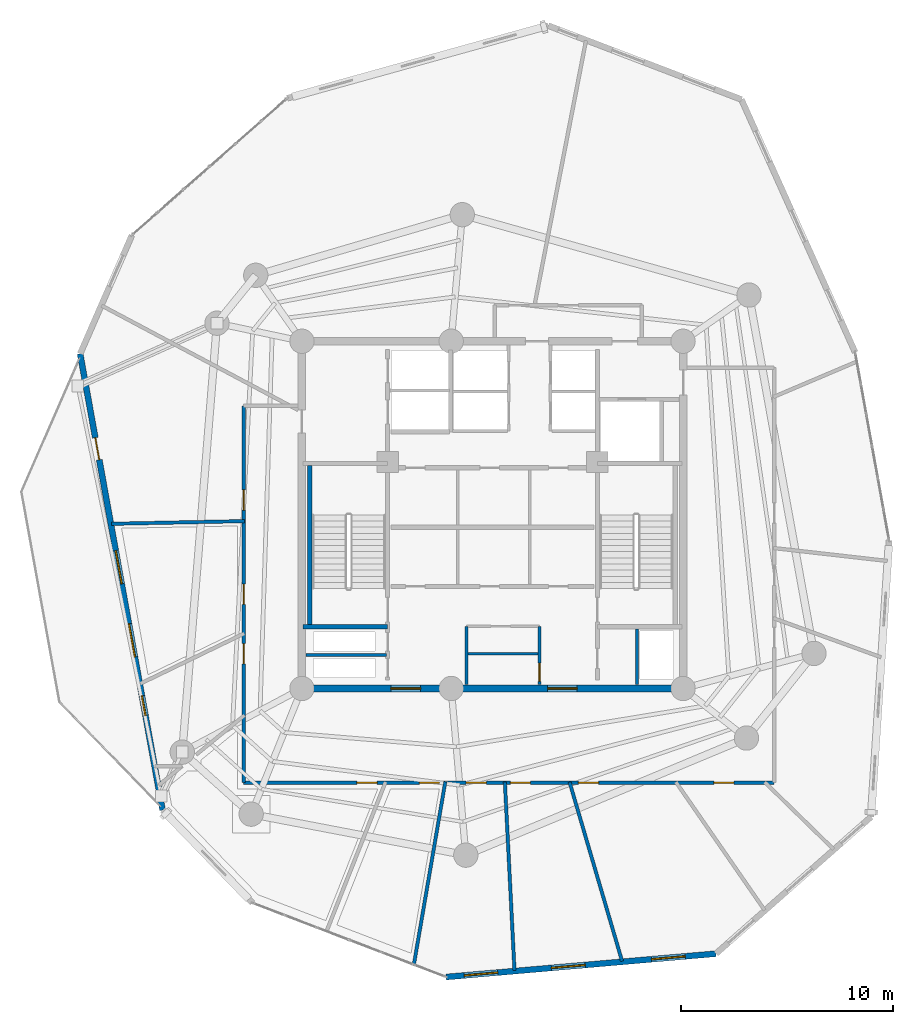
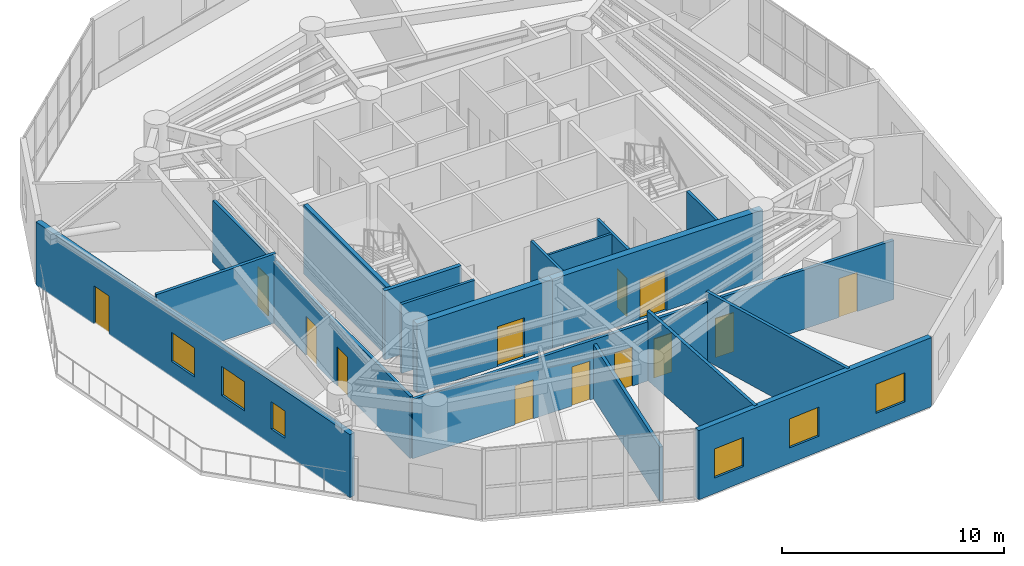
# One storey, part 6 of 12: 17 walls, 13 doors, 6 windows, 19 openings.
"""IFC4 building model written with IfcOpenShell, lengths in metres."""

from ifc_helpers import new_model, si_unit, direction, frame, frame_2d, origin, origin_with_axes, place, context, subcontext, project, spatial, rectangle, extrude, source, transform, mapped, material, layer, layer_set, type_object, element, fill, save


model = new_model("IFC4")

# Units and contexts
model_context = context("Model", 3, precision=1e-05, world=origin(), true_north=direction((0.0, 1.0)))
body_context = subcontext(model_context, "Body", "Model", "MODEL_VIEW")
ifc_project = project(units=[si_unit("LENGTHUNIT", "METRE"), si_unit("AREAUNIT", "SQUARE_METRE"), si_unit("VOLUMEUNIT", "CUBIC_METRE"), si_unit("PLANEANGLEUNIT", "RADIAN"), si_unit("MASSUNIT", "GRAM", prefix="KILO")], contexts=[model_context])

# Site, building, storey
site_placement = place(None, origin())
site = spatial("IfcSite", under=ifc_project, at=site_placement, CompositionType="ELEMENT")
building_placement = place(site_placement, origin())
building = spatial("IfcBuilding", under=site, at=building_placement, Name="Karkom Vertical University and Central Library", CompositionType="ELEMENT")
storey_placement = place(building_placement, frame((0.0, 0.0, 212.89990234375)))
storey = spatial("IfcBuildingStorey", under=building, at=storey_placement, Name="L62", CompositionType="ELEMENT", Elevation=212.89990234375)

# Wall, openings, windows
ifc_material_1 = material(Name="Brick-faced precast concrete C45/55", Category="masonry")
ifc_layer_1 = layer(ifc_material_1, 0.280029296875)
ifc_layer_set_1 = layer_set([ifc_layer_1], Name="Brick-faced precast concrete C45/55")
wall_type_1 = type_object("IfcWallType", Name="ENV-WL-BRK-280", PredefinedType="SOLIDWALL", material=ifc_layer_set_1)
wall_1_placement = place(storey_placement, frame((26.305908203125, 4.673583984375, 0.0), z_axis=(0.0, 0.0, 1.0), x_axis=(0.996286620239, 0.086098608195, 0.0)))
wall_1 = element("IfcWall", 1, at=wall_1_placement, inside=storey, type_object=wall_type_1, Name="Level 62 Brick-Faced Precast Facade Wall 03", PredefinedType="SOLIDWALL", context=body_context, shape_type="SweptSolid", body=[
    extrude(rectangle(XDim=12.797119140625, YDim=0.280029296875, at=frame_2d((6.3984375, 0.0))), origin(), (0.0, 0.0, 1.0), 3.800048828125),
])
opening_1_placement = place(wall_1_placement, frame((0.854248046875, 0.0, 0.85009765625)))
opening_1 = element("IfcOpeningElement", 2, at=opening_1_placement, cuts=wall_1, Name="Opening WN-10", PredefinedType="OPENING", context=body_context, shape_type="SweptSolid", body=[
    extrude(rectangle(XDim=1.60009765625, YDim=1.60009765625, at=frame_2d((0.800048828125, 0.800048828125))), frame((0.0, 0.14990234375, 0.0), z_axis=(0.0, -1.0, 0.0), x_axis=(1.0, 0.0, 0.0)), (0.0, 0.0, 1.0), 0.300048828125),
])
opening_2_placement = place(wall_1_placement, frame((4.995361328125, 0.0, 0.85009765625)))
opening_2 = element("IfcOpeningElement", 3, at=opening_2_placement, cuts=wall_1, Name="Opening WN-10", PredefinedType="OPENING", context=body_context, shape_type="SweptSolid", body=[
    extrude(rectangle(XDim=1.60009765625, YDim=1.60009765625, at=frame_2d((0.800048828125, 0.800048828125))), frame((0.0, 0.14990234375, 0.0), z_axis=(0.0, -1.0, 0.0), x_axis=(1.0, 0.0, 0.0)), (0.0, 0.0, 1.0), 0.300048828125),
])
opening_3_placement = place(wall_1_placement, frame((9.739501953125, 0.0, 0.85009765625)))
opening_3 = element("IfcOpeningElement", 4, at=opening_3_placement, cuts=wall_1, Name="Opening WN-10", PredefinedType="OPENING", context=body_context, shape_type="SweptSolid", body=[
    extrude(rectangle(XDim=1.60009765625, YDim=1.60009765625, at=frame_2d((0.800048828125, 0.800048828125))), frame((0.0, 0.14990234375, 0.0), z_axis=(0.0, -1.0, 0.0), x_axis=(1.0, 0.0, 0.0)), (0.0, 0.0, 1.0), 0.300048828125),
])
ifc_material_2 = material(Name="Aluminium thermal-break frame with solar-control IGU", Category="aluminium")
window_type_1 = type_object("IfcWindowType", Name="ENV-WIN-WN-10", PartitioningType="SINGLE_PANEL", PredefinedType="WINDOW", material=ifc_material_2)
shared_shape_1 = source(origin_with_axes(), body_context, "Body", "SweptSolid", [
    extrude(rectangle(XDim=1.60009765625, YDim=1.60009765625, at=frame_2d((0.800048828125, 0.800048828125))), frame((0.0, 0.030029296875, 0.0), z_axis=(0.0, -1.0, 0.0), x_axis=(1.0, 0.0, 0.0)), (0.0, 0.0, 1.0), 0.06005859375),
])
window_1_placement = place(opening_1_placement, origin())
window_1 = element("IfcWindow", 5, at=window_1_placement, inside=storey, type_object=window_type_1, Name="Level 62 Punched Window 3.1", OverallHeight=1.60009765625, OverallWidth=1.60009765625, PartitioningType="SINGLE_PANEL", PredefinedType="WINDOW", context=body_context, shape_type="MappedRepresentation", body=[
    mapped(shared_shape_1, transform((0.0, 0.0, 0.0), scale=1.0)),
])
fill(opening_1, window_1)
window_2_placement = place(opening_2_placement, origin())
window_2 = element("IfcWindow", 6, at=window_2_placement, inside=storey, type_object=window_type_1, Name="Level 62 Punched Window 3.2", OverallHeight=1.60009765625, OverallWidth=1.60009765625, PartitioningType="SINGLE_PANEL", PredefinedType="WINDOW", context=body_context, shape_type="MappedRepresentation", body=[
    mapped(shared_shape_1, transform((0.0, 0.0, 0.0), scale=1.0)),
])
fill(opening_2, window_2)
window_3_placement = place(opening_3_placement, origin())
window_3 = element("IfcWindow", 7, at=window_3_placement, inside=storey, type_object=window_type_1, Name="Level 62 Punched Window 3.3", OverallHeight=1.60009765625, OverallWidth=1.60009765625, PartitioningType="SINGLE_PANEL", PredefinedType="WINDOW", context=body_context, shape_type="MappedRepresentation", body=[
    mapped(shared_shape_1, transform((0.0, 0.0, 0.0), scale=1.0)),
])
fill(opening_3, window_3)

# Wall, openings, door, windows
wall_2_placement = place(storey_placement, frame((9.02490234375, 34.109619140625, 0.0), z_axis=(0.0, 0.0, 1.0), x_axis=(0.177767994096, -0.984072426336, 0.0)))
wall_2 = element("IfcWall", 8, at=wall_2_placement, inside=storey, type_object=wall_type_1, Name="Level 62 Brick-Faced Precast Facade Wall 12", PredefinedType="SOLIDWALL", context=body_context, shape_type="SweptSolid", body=[
    extrude(rectangle(XDim=21.901123046875, YDim=0.280029296875, at=frame_2d((10.95068359375, 0.0))), origin(), (0.0, 0.0, 1.0), 3.47021484375),
])
opening_4_placement = place(wall_2_placement, frame((9.4462890625, 0.0, 0.85009765625)))
opening_4 = element("IfcOpeningElement", 9, at=opening_4_placement, cuts=wall_2, Name="Opening WN-10", PredefinedType="OPENING", context=body_context, shape_type="SweptSolid", body=[
    extrude(rectangle(XDim=1.60009765625, YDim=1.60009765625, at=frame_2d((0.800048828125, 0.800048828125))), frame((0.0, 0.14990234375, 0.0), z_axis=(0.0, -1.0, 0.0), x_axis=(1.0, 0.0, 0.0)), (0.0, 0.0, 1.0), 0.300048828125),
])
opening_5_placement = place(wall_2_placement, frame((12.954833984375, 0.0, 0.85009765625)))
opening_5 = element("IfcOpeningElement", 10, at=opening_5_placement, cuts=wall_2, Name="Opening WN-10", PredefinedType="OPENING", context=body_context, shape_type="SweptSolid", body=[
    extrude(rectangle(XDim=1.60009765625, YDim=1.60009765625, at=frame_2d((0.800048828125, 0.800048828125))), frame((0.0, 0.14990234375, 0.0), z_axis=(0.0, -1.0, 0.0), x_axis=(1.0, 0.0, 0.0)), (0.0, 0.0, 1.0), 0.300048828125),
])
opening_6_placement = place(wall_2_placement, frame((16.410888671875, 0.0, 0.85009765625)))
opening_6 = element("IfcOpeningElement", 11, at=opening_6_placement, cuts=wall_2, Name="Opening WN-12", PredefinedType="OPENING", context=body_context, shape_type="SweptSolid", body=[
    extrude(rectangle(XDim=0.949951171875, YDim=1.5, at=frame_2d((0.47509765625, 0.75))), frame((0.0, 0.14990234375, 0.0), z_axis=(0.0, -1.0, 0.0), x_axis=(1.0, 0.0, 0.0)), (0.0, 0.0, 1.0), 0.300048828125),
])
opening_7_placement = place(wall_2_placement, frame((4.037841796875, 0.0, 0.0)))
opening_7 = element("IfcOpeningElement", 12, at=opening_7_placement, cuts=wall_2, Name="Opening TD-1", PredefinedType="OPENING", context=body_context, shape_type="SweptSolid", body=[
    extrude(rectangle(XDim=1.050048828125, YDim=2.1201171875, at=frame_2d((0.52490234375, 1.06005859375))), frame((0.0, 0.14990234375, 0.0), z_axis=(0.0, -1.0, 0.0), x_axis=(1.0, 0.0, 0.0)), (0.0, 0.0, 1.0), 0.300048828125),
])
ifc_material_3 = material(Name="Thermally broken glazed aluminium terrace door", Category="aluminium")
door_type_1 = type_object("IfcDoorType", Name="ENV-DR-TERR", OperationType="NOTDEFINED", PredefinedType="DOOR", material=ifc_material_3)
shared_shape_2 = source(origin_with_axes(), body_context, "Body", "SweptSolid", [
    extrude(rectangle(XDim=1.050048828125, YDim=2.1201171875, at=frame_2d((0.52490234375, 1.06005859375))), frame((0.0, 0.02490234375, 0.0), z_axis=(0.0, -1.0, 0.0), x_axis=(1.0, 0.0, 0.0)), (0.0, 0.0, 1.0), 0.050048828125),
])
door_1_placement = place(opening_7_placement, origin())
door_1 = element("IfcDoor", 13, at=door_1_placement, inside=storey, type_object=door_type_1, Name="Level 62 Outdoor Terrace Access Door", OperationType="SINGLE_SWING_RIGHT", OverallHeight=2.1201171875, OverallWidth=1.050048828125, PredefinedType="DOOR", context=body_context, shape_type="MappedRepresentation", body=[
    mapped(shared_shape_2, transform((0.0, 0.0, 0.0), scale=1.0)),
])
fill(opening_7, door_1)
window_type_2 = type_object("IfcWindowType", Name="ENV-WIN-WN-12", PartitioningType="SINGLE_PANEL", PredefinedType="WINDOW", material=ifc_material_2)
shared_shape_3 = source(origin_with_axes(), body_context, "Body", "SweptSolid", [
    extrude(rectangle(XDim=0.949951171875, YDim=1.5, at=frame_2d((0.47509765625, 0.75))), frame((0.0, 0.030029296875, 0.0), z_axis=(0.0, -1.0, 0.0), x_axis=(1.0, 0.0, 0.0)), (0.0, 0.0, 1.0), 0.06005859375),
])
window_4_placement = place(opening_6_placement, origin())
window_4 = element("IfcWindow", 14, at=window_4_placement, inside=storey, type_object=window_type_2, Name="Level 62 Punched Window 12.4", OverallHeight=1.5, OverallWidth=0.949951171875, PartitioningType="SINGLE_PANEL", PredefinedType="WINDOW", context=body_context, shape_type="MappedRepresentation", body=[
    mapped(shared_shape_3, transform((0.0, 0.0, 0.0), scale=1.0)),
])
fill(opening_6, window_4)
window_5_placement = place(opening_4_placement, origin())
window_5 = element("IfcWindow", 15, at=window_5_placement, inside=storey, type_object=window_type_1, Name="Level 62 Punched Window 12.2", OverallHeight=1.60009765625, OverallWidth=1.60009765625, PartitioningType="SINGLE_PANEL", PredefinedType="WINDOW", context=body_context, shape_type="MappedRepresentation", body=[
    mapped(shared_shape_1, transform((0.0, 0.0, 0.0), scale=1.0)),
])
fill(opening_4, window_5)
window_6_placement = place(opening_5_placement, origin())
window_6 = element("IfcWindow", 16, at=window_6_placement, inside=storey, type_object=window_type_1, Name="Level 62 Punched Window 12.3", OverallHeight=1.60009765625, OverallWidth=1.60009765625, PartitioningType="SINGLE_PANEL", PredefinedType="WINDOW", context=body_context, shape_type="MappedRepresentation", body=[
    mapped(shared_shape_1, transform((0.0, 0.0, 0.0), scale=1.0)),
])
fill(opening_5, window_6)

# Wall, openings, doors
ifc_material_4 = material(Name="Insulated metal-stud drywall 160mm", Category="gypsum")
ifc_layer_2 = layer(ifc_material_4, 0.159912109375)
ifc_layer_set_2 = layer_set([ifc_layer_2], Name="Insulated metal-stud drywall 160mm")
wall_type_2 = type_object("IfcWallType", Name="INT-WL-COR-160", PredefinedType="PARTITIONING", material=ifc_layer_set_2)
wall_3_placement = place(storey_placement, frame((41.800048828125, 13.85009765625, 0.0), z_axis=(0.0, 0.0, 1.0), x_axis=(-1.0, 0.0, 0.0)))
wall_3 = element("IfcWall", 17, at=wall_3_placement, inside=storey, type_object=wall_type_2, Name="Level 62 Interior Partition Wall L62-CORW-CW-001", PredefinedType="PARTITIONING", context=body_context, shape_type="SweptSolid", body=[
    extrude(rectangle(XDim=25.050048828125, YDim=0.159912109375, at=frame_2d((12.52490234375, 0.0))), origin(), (0.0, 0.0, 1.0), 3.25),
])
opening_8_placement = place(wall_3_placement, frame((18.75244140625, 0.0, 0.0)))
opening_8 = element("IfcOpeningElement", 18, at=opening_8_placement, cuts=wall_3, Name="Opening D-RM1", PredefinedType="OPENING", context=body_context, shape_type="SweptSolid", body=[
    extrude(rectangle(XDim=0.949951171875, YDim=2.14990234375, at=frame_2d((0.47509765625, 1.074951171875))), frame((0.0, 0.08984375, 0.0), z_axis=(0.0, -1.0, 0.0), x_axis=(1.0, 0.0, 0.0)), (0.0, 0.0, 1.0), 0.179931640625),
])
opening_9_placement = place(wall_3_placement, frame((15.8076171875, 0.0, 0.0)))
opening_9 = element("IfcOpeningElement", 19, at=opening_9_placement, cuts=wall_3, Name="Opening D-RM1", PredefinedType="OPENING", context=body_context, shape_type="SweptSolid", body=[
    extrude(rectangle(XDim=0.949951171875, YDim=2.14990234375, at=frame_2d((0.47509765625, 1.074951171875))), frame((0.0, 0.08984375, 0.0), z_axis=(0.0, -1.0, 0.0), x_axis=(1.0, 0.0, 0.0)), (0.0, 0.0, 1.0), 0.179931640625),
])
opening_10_placement = place(wall_3_placement, frame((13.593994140625, 0.0, 0.0)))
opening_10 = element("IfcOpeningElement", 20, at=opening_10_placement, cuts=wall_3, Name="Opening D-RM1", PredefinedType="OPENING", context=body_context, shape_type="SweptSolid", body=[
    extrude(rectangle(XDim=0.949951171875, YDim=2.14990234375, at=frame_2d((0.47509765625, 1.074951171875))), frame((0.0, 0.08984375, 0.0), z_axis=(0.0, -1.0, 0.0), x_axis=(1.0, 0.0, 0.0)), (0.0, 0.0, 1.0), 0.179931640625),
])
opening_11_placement = place(wall_3_placement, frame((11.510009765625, 0.0, 0.0)))
opening_11 = element("IfcOpeningElement", 21, at=opening_11_placement, cuts=wall_3, Name="Opening D-RM1", PredefinedType="OPENING", context=body_context, shape_type="SweptSolid", body=[
    extrude(rectangle(XDim=0.949951171875, YDim=2.14990234375, at=frame_2d((0.47509765625, 1.074951171875))), frame((0.0, 0.08984375, 0.0), z_axis=(0.0, -1.0, 0.0), x_axis=(1.0, 0.0, 0.0)), (0.0, 0.0, 1.0), 0.179931640625),
])
opening_12_placement = place(wall_3_placement, frame((8.29248046875, 0.0, 0.0)))
opening_12 = element("IfcOpeningElement", 22, at=opening_12_placement, cuts=wall_3, Name="Opening D-RM1", PredefinedType="OPENING", context=body_context, shape_type="SweptSolid", body=[
    extrude(rectangle(XDim=0.949951171875, YDim=2.14990234375, at=frame_2d((0.47509765625, 1.074951171875))), frame((0.0, 0.08984375, 0.0), z_axis=(0.0, -1.0, 0.0), x_axis=(1.0, 0.0, 0.0)), (0.0, 0.0, 1.0), 0.179931640625),
])
opening_13_placement = place(wall_3_placement, frame((1.898193359375, 0.0, 0.0)))
opening_13 = element("IfcOpeningElement", 23, at=opening_13_placement, cuts=wall_3, Name="Opening D-RM1", PredefinedType="OPENING", context=body_context, shape_type="SweptSolid", body=[
    extrude(rectangle(XDim=0.949951171875, YDim=2.14990234375, at=frame_2d((0.47509765625, 1.074951171875))), frame((0.0, 0.08984375, 0.0), z_axis=(0.0, -1.0, 0.0), x_axis=(1.0, 0.0, 0.0)), (0.0, 0.0, 1.0), 0.179931640625),
])
ifc_material_5 = material(Name="Solid-core oak veneer door", Category="wood")
door_type_2 = type_object("IfcDoorType", Name="INT-DR-RM1", OperationType="NOTDEFINED", PredefinedType="DOOR", material=ifc_material_5)
shared_shape_4 = source(origin_with_axes(), body_context, "Body", "SweptSolid", [
    extrude(rectangle(XDim=0.949951171875, YDim=2.14990234375, at=frame_2d((0.47509765625, 1.074951171875))), frame((0.0, 0.02490234375, 0.0), z_axis=(0.0, -1.0, 0.0), x_axis=(1.0, 0.0, 0.0)), (0.0, 0.0, 1.0), 0.050048828125),
])
door_2_placement = place(opening_8_placement, origin())
door_2 = element("IfcDoor", 24, at=door_2_placement, inside=storey, type_object=door_type_2, Name="Level 62 Room Entry Door 020", OperationType="SINGLE_SWING_RIGHT", OverallHeight=2.14990234375, OverallWidth=0.949951171875, PredefinedType="DOOR", context=body_context, shape_type="MappedRepresentation", body=[
    mapped(shared_shape_4, transform((0.0, 0.0, 0.0), scale=1.0)),
])
fill(opening_8, door_2)
door_3_placement = place(opening_9_placement, origin())
door_3 = element("IfcDoor", 25, at=door_3_placement, inside=storey, type_object=door_type_2, Name="Level 62 Room Entry Door 030", OperationType="SINGLE_SWING_LEFT", OverallHeight=2.14990234375, OverallWidth=0.949951171875, PredefinedType="DOOR", context=body_context, shape_type="MappedRepresentation", body=[
    mapped(shared_shape_4, transform((0.0, 0.0, 0.0), scale=1.0)),
])
fill(opening_9, door_3)
door_4_placement = place(opening_10_placement, origin())
door_4 = element("IfcDoor", 26, at=door_4_placement, inside=storey, type_object=door_type_2, Name="Level 62 Room Entry Door 040", OperationType="SINGLE_SWING_RIGHT", OverallHeight=2.14990234375, OverallWidth=0.949951171875, PredefinedType="DOOR", context=body_context, shape_type="MappedRepresentation", body=[
    mapped(shared_shape_4, transform((0.0, 0.0, 0.0), scale=1.0)),
])
fill(opening_10, door_4)
door_5_placement = place(opening_11_placement, origin())
door_5 = element("IfcDoor", 27, at=door_5_placement, inside=storey, type_object=door_type_2, Name="Level 62 Room Entry Door 050", OperationType="SINGLE_SWING_LEFT", OverallHeight=2.14990234375, OverallWidth=0.949951171875, PredefinedType="DOOR", context=body_context, shape_type="MappedRepresentation", body=[
    mapped(shared_shape_4, transform((0.0, 0.0, 0.0), scale=1.0)),
])
fill(opening_11, door_5)
door_6_placement = place(opening_12_placement, origin())
door_6 = element("IfcDoor", 28, at=door_6_placement, inside=storey, type_object=door_type_2, Name="Level 62 Room Entry Door 060", OperationType="SINGLE_SWING_RIGHT", OverallHeight=2.14990234375, OverallWidth=0.949951171875, PredefinedType="DOOR", context=body_context, shape_type="MappedRepresentation", body=[
    mapped(shared_shape_4, transform((0.0, 0.0, 0.0), scale=1.0)),
])
fill(opening_12, door_6)
door_7_placement = place(opening_13_placement, origin())
door_7 = element("IfcDoor", 29, at=door_7_placement, inside=storey, type_object=door_type_2, Name="Level 62 Room Entry Door 070", OperationType="SINGLE_SWING_LEFT", OverallHeight=2.14990234375, OverallWidth=0.949951171875, PredefinedType="DOOR", context=body_context, shape_type="MappedRepresentation", body=[
    mapped(shared_shape_4, transform((0.0, 0.0, 0.0), scale=1.0)),
])
fill(opening_13, door_7)

wall_4_placement = place(storey_placement, frame((16.75, 13.85009765625, 0.0), z_axis=(0.0, 0.0, 1.0), x_axis=(0.0, 1.0, 0.0)))
wall_4 = element("IfcWall", 30, at=wall_4_placement, inside=storey, type_object=wall_type_2, Name="Level 62 Interior Partition Wall L62-CORW-CW-002", PredefinedType="PARTITIONING", context=body_context, shape_type="SweptSolid", body=[
    extrude(rectangle(XDim=17.7998046875, YDim=0.159912109375, at=frame_2d((8.89990234375, 0.0))), origin(), (0.0, 0.0, 1.0), 3.400146484375),
])
opening_14_placement = place(wall_4_placement, frame((8.425048828125, 0.0, 0.0)))
opening_14 = element("IfcOpeningElement", 31, at=opening_14_placement, cuts=wall_4, Name="Opening D-RM1", PredefinedType="OPENING", context=body_context, shape_type="SweptSolid", body=[
    extrude(rectangle(XDim=0.949951171875, YDim=2.14990234375, at=frame_2d((0.47509765625, 1.074951171875))), frame((0.0, 0.08984375, 0.0), z_axis=(0.0, -1.0, 0.0), x_axis=(1.0, 0.0, 0.0)), (0.0, 0.0, 1.0), 0.179931640625),
])
opening_15_placement = place(wall_4_placement, frame((5.614990234375, 0.0, 0.0)))
opening_15 = element("IfcOpeningElement", 32, at=opening_15_placement, cuts=wall_4, Name="Opening FD-RM2", PredefinedType="OPENING", context=body_context, shape_type="SweptSolid", body=[
    extrude(rectangle(XDim=0.9599609375, YDim=2.14990234375, at=frame_2d((0.47998046875, 1.074951171875))), frame((0.0, 0.08984375, 0.0), z_axis=(0.0, -1.0, 0.0), x_axis=(1.0, 0.0, 0.0)), (0.0, 0.0, 1.0), 0.179931640625),
])
opening_16_placement = place(wall_4_placement, frame((12.875, 0.0, 0.0)))
opening_16 = element("IfcOpeningElement", 33, at=opening_16_placement, cuts=wall_4, Name="Opening D-RM1", PredefinedType="OPENING", context=body_context, shape_type="SweptSolid", body=[
    extrude(rectangle(XDim=0.949951171875, YDim=2.14990234375, at=frame_2d((0.47509765625, 1.074951171875))), frame((0.0, 0.08984375, 0.0), z_axis=(0.0, -1.0, 0.0), x_axis=(1.0, 0.0, 0.0)), (0.0, 0.0, 1.0), 0.179931640625),
])
ifc_material_6 = material(Name="Fire-rated oak veneer door", Category="wood")
door_type_3 = type_object("IfcDoorType", Name="INT-DR-FRM2", OperationType="NOTDEFINED", PredefinedType="DOOR", material=ifc_material_6)
shared_shape_5 = source(origin_with_axes(), body_context, "Body", "SweptSolid", [
    extrude(rectangle(XDim=0.9599609375, YDim=2.14990234375, at=frame_2d((0.47998046875, 1.074951171875))), frame((0.0, 0.02490234375, 0.0), z_axis=(0.0, -1.0, 0.0), x_axis=(1.0, 0.0, 0.0)), (0.0, 0.0, 1.0), 0.050048828125),
])
door_8_placement = place(opening_15_placement, origin())
door_8 = element("IfcDoor", 34, at=door_8_placement, inside=storey, type_object=door_type_3, Name="Level 62 Room Entry Door 010", OperationType="SINGLE_SWING_LEFT", OverallHeight=2.14990234375, OverallWidth=0.9599609375, PredefinedType="DOOR", context=body_context, shape_type="MappedRepresentation", body=[
    mapped(shared_shape_5, transform((0.0, 0.0, 0.0), scale=1.0)),
])
fill(opening_15, door_8)
door_9_placement = place(opening_14_placement, origin())
door_9 = element("IfcDoor", 35, at=door_9_placement, inside=storey, type_object=door_type_2, Name="Level 62 Room Entry Door 000", OperationType="SINGLE_SWING_RIGHT", OverallHeight=2.14990234375, OverallWidth=0.949951171875, PredefinedType="DOOR", context=body_context, shape_type="MappedRepresentation", body=[
    mapped(shared_shape_4, transform((0.0, 0.0, 0.0), scale=1.0)),
])
fill(opening_14, door_9)
door_10_placement = place(opening_16_placement, origin())
door_10 = element("IfcDoor", 36, at=door_10_placement, inside=storey, type_object=door_type_2, Name="Level 62 Room Entry Door 130", OperationType="SINGLE_SWING_LEFT", OverallHeight=2.14990234375, OverallWidth=0.949951171875, PredefinedType="DOOR", context=body_context, shape_type="MappedRepresentation", body=[
    mapped(shared_shape_4, transform((0.0, 0.0, 0.0), scale=1.0)),
])
fill(opening_16, door_10)

# Walls
wall_5_placement = place(storey_placement, frame((29.084228515625, 13.8798828125, 0.0), z_axis=(0.0, 0.0, 1.0), x_axis=(0.051000407372, -0.998698632445, 0.0)))
element("IfcWall", 37, at=wall_5_placement, inside=storey, type_object=wall_type_2, Name="Level 62 Interior Partition Wall L62-PW-008", PredefinedType="PARTITIONING", context=body_context, shape_type="SweptSolid", body=[
    extrude(rectangle(XDim=8.91357421875, YDim=0.159912109375, at=frame_2d((4.456787109375, 0.0))), origin(), (0.0, 0.0, 1.0), 3.800048828125),
])
wall_6_placement = place(storey_placement, frame((32.139892578125, 13.87890625, 0.0), z_axis=(0.0, 0.0, 1.0), x_axis=(0.281469148603, -0.959570277981, 0.0)))
element("IfcWall", 38, at=wall_6_placement, inside=storey, type_object=wall_type_2, Name="Level 62 Interior Partition Wall L62-PW-009", PredefinedType="PARTITIONING", context=body_context, shape_type="SweptSolid", body=[
    extrude(rectangle(XDim=8.81689453125, YDim=0.159912109375, at=frame_2d((4.408447265625, 0.0))), origin(), (0.0, 0.0, 1.0), 3.800048828125),
])
wall_7_placement = place(storey_placement, frame((26.271484375, 13.894287109375, 0.0), z_axis=(0.0, 0.0, 1.0), x_axis=(-0.169452265017, -0.985538395944, 0.0)))
element("IfcWall", 39, at=wall_7_placement, inside=storey, type_object=wall_type_2, Name="Level 62 Interior Partition Wall L62-PW-007", PredefinedType="PARTITIONING", context=body_context, shape_type="SweptSolid", body=[
    extrude(rectangle(XDim=8.73974609375, YDim=0.159912109375, at=frame_2d((4.369873046875, 0.0))), origin(), (0.0, 0.0, 1.0), 3.0),
])
wall_8_placement = place(storey_placement, frame((10.502197265625, 26.077880859375, 0.0), z_axis=(0.0, 0.0, 1.0), x_axis=(0.999797352316, 0.020130928998, 0.0)))
element("IfcWall", 40, at=wall_8_placement, inside=storey, type_object=wall_type_2, Name="Level 62 Interior Partition Wall L62-PW-002", PredefinedType="PARTITIONING", context=body_context, shape_type="SweptSolid", body=[
    extrude(rectangle(XDim=6.294189453125, YDim=0.159912109375, at=frame_2d((3.14697265625, 0.0))), origin(), (0.0, 0.0, 1.0), 3.800048828125),
])
ifc_material_7 = material(Name="Moisture-resistant drywall 120mm", Category="gypsum")
ifc_layer_3 = layer(ifc_material_7, 0.1201171875)
ifc_layer_set_3 = layer_set([ifc_layer_3], Name="Moisture-resistant drywall 120mm")
wall_type_3 = type_object("IfcWallType", Name="INT-WL-INT-120", PredefinedType="PARTITIONING", material=ifc_layer_set_3)
wall_9_placement = place(storey_placement, frame((27.280029296875, 19.93994140625, 0.0), z_axis=(0.0, 0.0, 1.0), x_axis=(1.0, 0.0, 0.0)))
element("IfcWall", 41, at=wall_9_placement, inside=storey, type_object=wall_type_3, Name="Level 62 Interior Partition Wall L62-CW-K4-DIV", PredefinedType="PARTITIONING", context=body_context, shape_type="SweptSolid", body=[
    extrude(rectangle(XDim=3.43994140625, YDim=0.1201171875, at=frame_2d((1.719970703125, 0.0))), origin(), (0.0, 0.0, 1.0), 3.800048828125),
])
ifc_material_8 = material(Name="Metal-stud gypsum partition 140mm", Category="gypsum")
ifc_layer_4 = layer(ifc_material_8, 0.139892578125)
ifc_layer_set_4 = layer_set([ifc_layer_4], Name="Metal-stud gypsum partition 140mm")
wall_type_4 = type_object("IfcWallType", Name="INT-WL-SUB-140", PredefinedType="PARTITIONING", material=ifc_layer_set_4)
wall_10_placement = place(storey_placement, frame((27.280029296875, 18.48193359375, 0.0), z_axis=(0.0, 0.0, 1.0), x_axis=(0.0, 1.0, 0.0)))
element("IfcWall", 42, at=wall_10_placement, inside=storey, type_object=wall_type_4, Name="Level 62 Interior Partition Wall L62-CW-KBAY-W", PredefinedType="PARTITIONING", context=body_context, shape_type="SweptSolid", body=[
    extrude(rectangle(XDim=2.758056640625, YDim=0.139892578125, at=frame_2d((1.37890625, 0.0))), origin(), (0.0, 0.0, 1.0), 3.800048828125),
])

# Wall, opening, door
wall_11_placement = place(storey_placement, frame((30.719970703125, 18.48193359375, 0.0), z_axis=(0.0, 0.0, 1.0), x_axis=(0.0, 1.0, 0.0)))
wall_11 = element("IfcWall", 43, at=wall_11_placement, inside=storey, type_object=wall_type_4, Name="Level 62 Interior Partition Wall L62-CW-KBAY-E", PredefinedType="PARTITIONING", context=body_context, shape_type="SweptSolid", body=[
    extrude(rectangle(XDim=2.758056640625, YDim=0.139892578125, at=frame_2d((1.37890625, 0.0))), origin(), (0.0, 0.0, 1.0), 3.800048828125),
])
opening_17_placement = place(wall_11_placement, frame((0.159912109375, 0.0, 0.0)))
opening_17 = element("IfcOpeningElement", 44, at=opening_17_placement, cuts=wall_11, Name="Opening FD-BTH1", PredefinedType="OPENING", context=body_context, shape_type="SweptSolid", body=[
    extrude(rectangle(XDim=0.860107421875, YDim=2.10009765625, at=frame_2d((0.43017578125, 1.050048828125))), frame((0.0, 0.080078125, 0.0), z_axis=(0.0, -1.0, 0.0), x_axis=(1.0, 0.0, 0.0)), (0.0, 0.0, 1.0), 0.159912109375),
])
ifc_material_9 = material(Name="Fire-rated moisture-resistant oak door", Category="wood")
door_type_4 = type_object("IfcDoorType", Name="INT-DR-FBTH1", OperationType="NOTDEFINED", PredefinedType="DOOR", material=ifc_material_9)
shared_shape_6 = source(origin_with_axes(), body_context, "Body", "SweptSolid", [
    extrude(rectangle(XDim=0.860107421875, YDim=2.10009765625, at=frame_2d((0.43017578125, 1.050048828125))), frame((0.0, 0.02490234375, 0.0), z_axis=(0.0, -1.0, 0.0), x_axis=(1.0, 0.0, 0.0)), (0.0, 0.0, 1.0), 0.050048828125),
])
door_11_placement = place(opening_17_placement, origin())
door_11 = element("IfcDoor", 45, at=door_11_placement, inside=storey, type_object=door_type_4, Name="Level 62 Metering Cupboard Door", OperationType="SINGLE_SWING_LEFT", OverallHeight=2.10009765625, OverallWidth=0.860107421875, PredefinedType="DOOR", context=body_context, shape_type="MappedRepresentation", body=[
    mapped(shared_shape_6, transform((0.0, 0.0, 0.0), scale=1.0)),
])
fill(opening_17, door_11)

# Walls
ifc_layer_5 = layer(ifc_material_8, 0.139892578125)
ifc_layer_set_5 = layer_set([ifc_layer_5], Name="Metal-stud gypsum partition 140mm")
wall_type_5 = type_object("IfcWallType", Name="INT-WL-SUB-140H", PredefinedType="PARTITIONING", material=ifc_layer_set_5)
wall_12_placement = place(storey_placement, frame((19.681884765625, 19.889892578125, 0.0), z_axis=(0.0, 0.0, 1.0), x_axis=(1.0, 0.0, 0.0)))
element("IfcWall", 46, at=wall_12_placement, inside=storey, type_object=wall_type_5, Name="Level 62 Interior Partition Wall L62-CW-RIS-W", PredefinedType="PARTITIONING", context=body_context, shape_type="SweptSolid", body=[
    extrude(rectangle(XDim=3.8154296875, YDim=0.139892578125, at=frame_2d((1.90771484375, 0.0))), origin(), (0.0, 0.0, 1.0), 3.800048828125),
])
wall_13_placement = place(storey_placement, frame((35.320068359375, 18.48193359375, 0.0), z_axis=(0.0, 0.0, 1.0), x_axis=(0.0, 1.0, 0.0)))
element("IfcWall", 47, at=wall_13_placement, inside=storey, type_object=wall_type_5, Name="Level 62 Interior Partition Wall L62-CW-RIS-E", PredefinedType="PARTITIONING", context=body_context, shape_type="SweptSolid", body=[
    extrude(rectangle(XDim=2.629150390625, YDim=0.139892578125, at=frame_2d((1.314453125, 0.0))), origin(), (0.0, 0.0, 1.0), 3.800048828125),
])

# Wall, opening, door
ifc_material_10 = material(Name="Concrete C45/55", Category="concrete")
ifc_layer_6 = layer(ifc_material_10, 0.35009765625)
ifc_layer_set_6 = layer_set([ifc_layer_6], Name="Concrete C45/55")
wall_type_6 = type_object("IfcWallType", Name="STR-WL-CW-350", PredefinedType="SHEAR", material=ifc_layer_set_6)
wall_14_placement = place(storey_placement, frame((19.5, 18.300048828125, 0.0), z_axis=(0.0, 0.0, 1.0), x_axis=(1.0, 0.0, 0.0)))
wall_14 = element("IfcWall", 48, at=wall_14_placement, inside=storey, type_object=wall_type_6, Name="Level 62 Central Core Shear Wall SW1", PredefinedType="SHEAR", context=body_context, shape_type="SweptSolid", body=[
    extrude(rectangle(XDim=7.050048828125, YDim=0.35009765625, at=frame_2d((3.52490234375, 0.0))), origin(), (0.0, 0.0, 1.0), 3.800048828125),
])
opening_18_placement = place(wall_14_placement, frame((4.199951171875, 0.0, 0.0)))
opening_18 = element("IfcOpeningElement", 49, at=opening_18_placement, cuts=wall_14, Name="Opening FD-CLB", PredefinedType="OPENING", context=body_context, shape_type="SweptSolid", body=[
    extrude(rectangle(XDim=1.39990234375, YDim=2.199951171875, at=frame_2d((0.699951171875, 1.10009765625))), frame((0.0, 0.18505859375, 0.0), z_axis=(0.0, -1.0, 0.0), x_axis=(1.0, 0.0, 0.0)), (0.0, 0.0, 1.0), 0.3701171875),
])
ifc_material_11 = material(Name="Painted steel fire door", Category="steel")
door_type_5 = type_object("IfcDoorType", Name="INT-DR-CLB", OperationType="DOUBLE_DOOR_SINGLE_SWING", PredefinedType="DOOR", material=ifc_material_11)
shared_shape_7 = source(origin_with_axes(), body_context, "Body", "SweptSolid", [
    extrude(rectangle(XDim=1.39990234375, YDim=2.199951171875, at=frame_2d((0.699951171875, 1.10009765625))), frame((0.0, 0.02490234375, 0.0), z_axis=(0.0, -1.0, 0.0), x_axis=(1.0, 0.0, 0.0)), (0.0, 0.0, 1.0), 0.050048828125),
])
door_12_placement = place(opening_18_placement, origin())
door_12 = element("IfcDoor", 50, at=door_12_placement, inside=storey, type_object=door_type_5, Name="Level 62 South Core Lobby West Exit Door", OperationType="DOUBLE_DOOR_SINGLE_SWING", OverallHeight=2.199951171875, OverallWidth=1.39990234375, PredefinedType="DOOR", context=body_context, shape_type="MappedRepresentation", body=[
    mapped(shared_shape_7, transform((0.0, 0.0, 0.0), scale=1.0)),
])
fill(opening_18, door_12)

wall_15_placement = place(storey_placement, frame((26.550048828125, 18.300048828125, 0.0), z_axis=(0.0, 0.0, 1.0), x_axis=(1.0, 0.0, 0.0)))
wall_15 = element("IfcWall", 51, at=wall_15_placement, inside=storey, type_object=wall_type_6, Name="Level 62 Central Core Shear Wall SW2", PredefinedType="SHEAR", context=body_context, shape_type="SweptSolid", body=[
    extrude(rectangle(XDim=10.949951171875, YDim=0.35009765625, at=frame_2d((5.47509765625, 0.0))), origin(), (0.0, 0.0, 1.0), 3.800048828125),
])
opening_19_placement = place(wall_15_placement, frame((4.550048828125, 0.0, 0.0)))
opening_19 = element("IfcOpeningElement", 52, at=opening_19_placement, cuts=wall_15, Name="Opening FD-CLB", PredefinedType="OPENING", context=body_context, shape_type="SweptSolid", body=[
    extrude(rectangle(XDim=1.39990234375, YDim=2.199951171875, at=frame_2d((0.699951171875, 1.10009765625))), frame((0.0, 0.18505859375, 0.0), z_axis=(0.0, -1.0, 0.0), x_axis=(1.0, 0.0, 0.0)), (0.0, 0.0, 1.0), 0.3701171875),
])
door_13_placement = place(opening_19_placement, origin())
door_13 = element("IfcDoor", 53, at=door_13_placement, inside=storey, type_object=door_type_5, Name="Level 62 South Core Lobby East Exit Door", OperationType="DOUBLE_DOOR_SINGLE_SWING", OverallHeight=2.199951171875, OverallWidth=1.39990234375, PredefinedType="DOOR", context=body_context, shape_type="MappedRepresentation", body=[
    mapped(shared_shape_7, transform((0.0, 0.0, 0.0), scale=1.0)),
])
fill(opening_19, door_13)

# Walls
ifc_layer_7 = layer(ifc_material_10, 0.199951171875)
ifc_layer_set_7 = layer_set([ifc_layer_7], Name="Concrete C45/55")
wall_type_7 = type_object("IfcWallType", Name="STR-WL-ST-200", PredefinedType="SHEAR", material=ifc_layer_set_7)
wall_16_placement = place(storey_placement, frame((19.875, 21.320068359375, 0.0), z_axis=(0.0, 0.0, 1.0), x_axis=(0.0, 1.0, 0.0)))
element("IfcWall", 54, at=wall_16_placement, inside=storey, type_object=wall_type_7, Name="Level 62 Core Shaft Wall L62-CW-ST1-W", PredefinedType="SHEAR", context=body_context, shape_type="SweptSolid", body=[
    extrude(rectangle(XDim=7.5, YDim=0.199951171875, at=frame_2d((3.75, 0.0))), origin(), (0.0, 0.0, 1.0), 3.800048828125),
])
wall_17_placement = place(storey_placement, frame((19.550048828125, 21.215087890625, 0.0), z_axis=(0.0, 0.0, 1.0), x_axis=(1.0, 0.0, 0.0)))
element("IfcWall", 55, at=wall_17_placement, inside=storey, type_object=wall_type_7, Name="Level 62 Core Shaft Wall L62-CW-ST1-S", PredefinedType="SHEAR", context=body_context, shape_type="SweptSolid", body=[
    extrude(rectangle(XDim=3.994873046875, YDim=0.199951171875, at=frame_2d((1.99755859375, 0.0))), origin(), (0.0, 0.0, 1.0), 3.800048828125),
])

save(model, "model.ifc")
